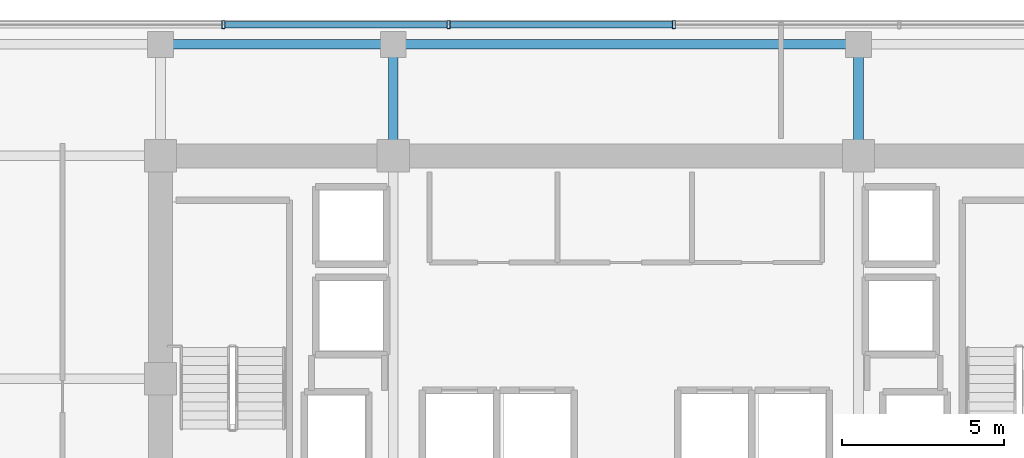
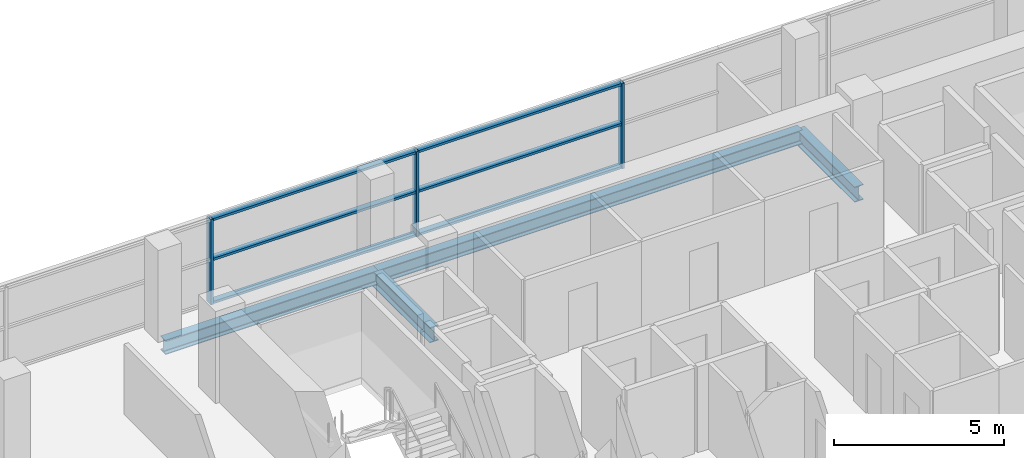
# One storey, part 15 of 25: 9 members, 4 beams, 1 element without a shape of its own.
"""IFC4 building model written with IfcOpenShell, lengths in metres."""

from ifc_helpers import new_model, si_unit, direction, frame, origin, origin_2d, place, context, subcontext, project, spatial, hollow_rectangle, i_section, extrude, source, transform, mapped, material, layer, layer_set, material_profile, profile_set, type_object, element, aggregate, save


model = new_model("IFC4")

# Units and contexts
model_context = context("Model", 3, precision=1e-05, world=origin(), true_north=direction((0.0, 1.0)))
body_context = subcontext(model_context, "Body", "Model", "MODEL_VIEW")
ifc_project = project(units=[si_unit("LENGTHUNIT", "METRE"), si_unit("AREAUNIT", "SQUARE_METRE"), si_unit("VOLUMEUNIT", "CUBIC_METRE"), si_unit("PLANEANGLEUNIT", "RADIAN"), si_unit("MASSUNIT", "GRAM", prefix="KILO")], contexts=[model_context])

# Site, building, storey
site_placement = place(None, origin())
site = spatial("IfcSite", under=ifc_project, at=site_placement, CompositionType="ELEMENT")
building_placement = place(site_placement, origin())
building = spatial("IfcBuilding", under=site, at=building_placement, Name="Zarnakvel Exchange Tower", CompositionType="ELEMENT")
storey_placement = place(building_placement, frame((0.0, 0.0, 93.39990234375)))
storey = spatial("IfcBuildingStorey", under=building, at=storey_placement, Name="L25", CompositionType="ELEMENT", Elevation=93.39990234375)

# Beams
ifc_material_1 = material(Name="Steel S355", Category="steel")
ifc_material_profile_1 = material_profile(ifc_material_1, i_section(OverallWidth=0.300048828125, OverallDepth=0.550048828125, WebThickness=0.014892578125, FlangeThickness=0.029052734375, FilletRadius=0.027099609375, at=origin_2d()))
ifc_profile_set_1 = profile_set([ifc_material_profile_1], Name="Steel S355")
beam_type_1 = type_object("IfcBeamType", Name="G-05", PredefinedType="BEAM", material=ifc_profile_set_1)
for number, where, z_axis, x_axis, name in (
    (1, (-7.199951171875, 13.5, -0.5), (0.0, 1.0, 0.0), (-1.0, 0.0, 0.0), "L25 Tower N-S Frame Beam"),
    (2, (7.199951171875, 13.5, -0.5), (0.0, 1.0, 0.0), (-1.0, 0.0, 0.0), "L25 Tower N-S Frame Beam"),
):
    element("IfcBeam", number, at=place(storey_placement, frame(where, z_axis=z_axis, x_axis=x_axis)), inside=storey, type_object=beam_type_1, Name=name, PredefinedType="BEAM", context=body_context, shape_type="SweptSolid", body=[
        extrude(i_section(OverallWidth=0.300048828125, OverallDepth=0.550048828125, WebThickness=0.014892578125, FlangeThickness=0.029052734375, FilletRadius=0.027099609375, at=origin_2d()), origin(), (0.0, 0.0, 1.0), 3.449951171875),
    ])
ifc_material_profile_2 = material_profile(ifc_material_1, i_section(OverallWidth=0.300048828125, OverallDepth=0.5, WebThickness=0.014404296875, FlangeThickness=0.028076171875, FilletRadius=0.027099609375, at=origin_2d()))
ifc_profile_set_2 = profile_set([ifc_material_profile_2], Name="Steel S355")
beam_type_2 = type_object("IfcBeamType", Name="SP-02", PredefinedType="SPANDREL", material=ifc_profile_set_2)
beam_1_placement = place(storey_placement, frame((-14.39990234375, 16.949951171875, -0.474853515625), z_axis=(1.0, 0.0, 0.0), x_axis=(0.0, 1.0, 0.0)))
element("IfcBeam", 3, at=beam_1_placement, inside=storey, type_object=beam_type_2, Name="L25 Tower E-W Frame Beam", PredefinedType="SPANDREL", context=body_context, shape_type="SweptSolid", body=[
    extrude(i_section(OverallWidth=0.300048828125, OverallDepth=0.5, WebThickness=0.014404296875, FlangeThickness=0.028076171875, FilletRadius=0.027099609375, at=origin_2d()), origin(), (0.0, 0.0, 1.0), 7.199951171875),
])
beam_2_placement = place(storey_placement, frame((-7.199951171875, 16.949951171875, -0.474853515625), z_axis=(1.0, 0.0, 0.0), x_axis=(0.0, 1.0, 0.0)))
element("IfcBeam", 4, at=beam_2_placement, inside=storey, type_object=beam_type_2, Name="L25 Tower E-W Frame Beam", PredefinedType="SPANDREL", context=body_context, shape_type="SweptSolid", body=[
    extrude(i_section(OverallWidth=0.300048828125, OverallDepth=0.5, WebThickness=0.014404296875, FlangeThickness=0.028076171875, FilletRadius=0.027099609375, at=origin_2d()), origin(), (0.0, 0.0, 1.0), 14.39990234375),
])

# Curtain wall, members
ifc_material_2 = material(Name="Architectural Bronze Anodised Aluminium", Category="aluminium")
ifc_layer = layer(ifc_material_2, 0.239990234375)
ifc_layer_set = layer_set([ifc_layer], Name="Architectural Bronze Anodised Aluminium")
curtain_wall_type = type_object("IfcCurtainWallType", Name="CW-02", PredefinedType="NOTDEFINED", material=ifc_layer_set)
curtain_wall_placement = place(storey_placement, origin())
curtain_wall = element("IfcCurtainWall", 5, at=curtain_wall_placement, inside=storey, type_object=curtain_wall_type, Name="L25 Curtain Wall CW-L25-N1 (CW-02)", PredefinedType="NOTDEFINED")
ifc_material_profile_3 = material_profile(ifc_material_2, hollow_rectangle(XDim=0.239990234375, YDim=0.090087890625, WallThickness=0.006103515625, at=origin_2d()))
ifc_profile_set_3 = profile_set([ifc_material_profile_3], Name="Architectural Bronze Anodised Aluminium")
member_type_1 = type_object("IfcMemberType", Name="CWM-02", PredefinedType="MULLION", material=ifc_profile_set_3)
shared_shape_1 = source(origin(), body_context, "Body", "SweptSolid", [
    extrude(hollow_rectangle(XDim=0.239990234375, YDim=0.090087890625, WallThickness=0.006103515625, at=origin_2d()), origin(), (0.0, 0.0, 1.0), 3.05517578125),
])
member_1_placement = place(storey_placement, frame((-12.45703125, 17.56005859375, 0.0), z_axis=(0.0, 0.0, 1.0), x_axis=(0.0, 1.0, 0.0)))
member_1 = element("IfcMember", 6, at=member_1_placement, type_object=member_type_1, Name="CW-02 mullion 3", PredefinedType="MULLION", context=body_context, shape_type="MappedRepresentation", body=[
    mapped(shared_shape_1, transform((0.0, 0.0, 0.0), x_axis=(1.0, 0.0, 0.0), y_axis=(0.0, 1.0, 0.0), z_axis=(0.0, 0.0, 1.0), scale=1.0)),
])
member_2_placement = place(storey_placement, frame((-5.485595703125, 17.56005859375, 0.0), z_axis=(0.0, 0.0, 1.0), x_axis=(0.0, 1.0, 0.0)))
member_2 = element("IfcMember", 7, at=member_2_placement, type_object=member_type_1, Name="CW-02 mullion 4", PredefinedType="MULLION", context=body_context, shape_type="MappedRepresentation", body=[
    mapped(shared_shape_1, transform((0.0, 0.0, 0.0), x_axis=(1.0, 0.0, 0.0), y_axis=(0.0, 1.0, 0.0), z_axis=(0.0, 0.0, 1.0), scale=1.0)),
])
member_3_placement = place(storey_placement, frame((1.485595703125, 17.56005859375, 0.0), z_axis=(0.0, 0.0, 1.0), x_axis=(0.0, 1.0, 0.0)))
member_3 = element("IfcMember", 8, at=member_3_placement, type_object=member_type_1, Name="CW-02 mullion 5", PredefinedType="MULLION", context=body_context, shape_type="MappedRepresentation", body=[
    mapped(shared_shape_1, transform((0.0, 0.0, 0.0), x_axis=(1.0, 0.0, 0.0), y_axis=(0.0, 1.0, 0.0), z_axis=(0.0, 0.0, 1.0), scale=1.0)),
])
ifc_material_profile_4 = material_profile(ifc_material_2, hollow_rectangle(XDim=0.199951171875, YDim=0.0849609375, WallThickness=0.0048828125, at=origin_2d()))
ifc_profile_set_4 = profile_set([ifc_material_profile_4], Name="Architectural Bronze Anodised Aluminium")
member_type_2 = type_object("IfcMemberType", Name="CWT-02", PredefinedType="USERDEFINED", material=ifc_profile_set_4)
shared_shape_2 = source(origin(), body_context, "Body", "SweptSolid", [
    extrude(hollow_rectangle(XDim=0.199951171875, YDim=0.0849609375, WallThickness=0.0048828125, at=origin_2d()), origin(), (0.0, 0.0, 1.0), 6.88134765625),
])
member_4_placement = place(storey_placement, frame((-12.412109375, 17.56005859375, 0.04248046875), z_axis=(1.0, 0.0, 0.0), x_axis=(0.0, 1.0, 0.0)))
member_4 = element("IfcMember", 9, at=member_4_placement, type_object=member_type_2, Name="CW-02 transom 3.1", ObjectType="TRANSOM", PredefinedType="USERDEFINED", context=body_context, shape_type="MappedRepresentation", body=[
    mapped(shared_shape_2, transform((0.0, 0.0, 0.0), x_axis=(1.0, 0.0, 0.0), y_axis=(0.0, 1.0, 0.0), z_axis=(0.0, 0.0, 1.0), scale=1.0)),
])
member_5_placement = place(storey_placement, frame((-12.412109375, 17.56005859375, 1.588623046875), z_axis=(1.0, 0.0, 0.0), x_axis=(0.0, 1.0, 0.0)))
member_5 = element("IfcMember", 10, at=member_5_placement, type_object=member_type_2, Name="CW-02 transom 3.2", ObjectType="TRANSOM", PredefinedType="USERDEFINED", context=body_context, shape_type="MappedRepresentation", body=[
    mapped(shared_shape_2, transform((0.0, 0.0, 0.0), x_axis=(1.0, 0.0, 0.0), y_axis=(0.0, 1.0, 0.0), z_axis=(0.0, 0.0, 1.0), scale=1.0)),
])
member_6_placement = place(storey_placement, frame((-12.412109375, 17.56005859375, 3.0126953125), z_axis=(1.0, 0.0, 0.0), x_axis=(0.0, 1.0, 0.0)))
member_6 = element("IfcMember", 11, at=member_6_placement, type_object=member_type_2, Name="CW-02 transom 3.3", ObjectType="TRANSOM", PredefinedType="USERDEFINED", context=body_context, shape_type="MappedRepresentation", body=[
    mapped(shared_shape_2, transform((0.0, 0.0, 0.0), x_axis=(1.0, 0.0, 0.0), y_axis=(0.0, 1.0, 0.0), z_axis=(0.0, 0.0, 1.0), scale=1.0)),
])
member_7_placement = place(storey_placement, frame((-5.440673828125, 17.56005859375, 0.04248046875), z_axis=(1.0, 0.0, 0.0), x_axis=(0.0, 1.0, 0.0)))
member_7 = element("IfcMember", 12, at=member_7_placement, type_object=member_type_2, Name="CW-02 transom 4.1", ObjectType="TRANSOM", PredefinedType="USERDEFINED", context=body_context, shape_type="MappedRepresentation", body=[
    mapped(shared_shape_2, transform((0.0, 0.0, 0.0), x_axis=(1.0, 0.0, 0.0), y_axis=(0.0, 1.0, 0.0), z_axis=(0.0, 0.0, 1.0), scale=1.0)),
])
member_8_placement = place(storey_placement, frame((-5.440673828125, 17.56005859375, 1.588623046875), z_axis=(1.0, 0.0, 0.0), x_axis=(0.0, 1.0, 0.0)))
member_8 = element("IfcMember", 13, at=member_8_placement, type_object=member_type_2, Name="CW-02 transom 4.2", ObjectType="TRANSOM", PredefinedType="USERDEFINED", context=body_context, shape_type="MappedRepresentation", body=[
    mapped(shared_shape_2, transform((0.0, 0.0, 0.0), x_axis=(1.0, 0.0, 0.0), y_axis=(0.0, 1.0, 0.0), z_axis=(0.0, 0.0, 1.0), scale=1.0)),
])
member_9_placement = place(storey_placement, frame((-5.440673828125, 17.56005859375, 3.0126953125), z_axis=(1.0, 0.0, 0.0), x_axis=(0.0, 1.0, 0.0)))
member_9 = element("IfcMember", 14, at=member_9_placement, type_object=member_type_2, Name="CW-02 transom 4.3", ObjectType="TRANSOM", PredefinedType="USERDEFINED", context=body_context, shape_type="MappedRepresentation", body=[
    mapped(shared_shape_2, transform((0.0, 0.0, 0.0), x_axis=(1.0, 0.0, 0.0), y_axis=(0.0, 1.0, 0.0), z_axis=(0.0, 0.0, 1.0), scale=1.0)),
])
aggregate(curtain_wall, [member_1, member_2, member_3, member_4, member_5, member_6, member_7, member_8, member_9])

save(model, "model.ifc")
